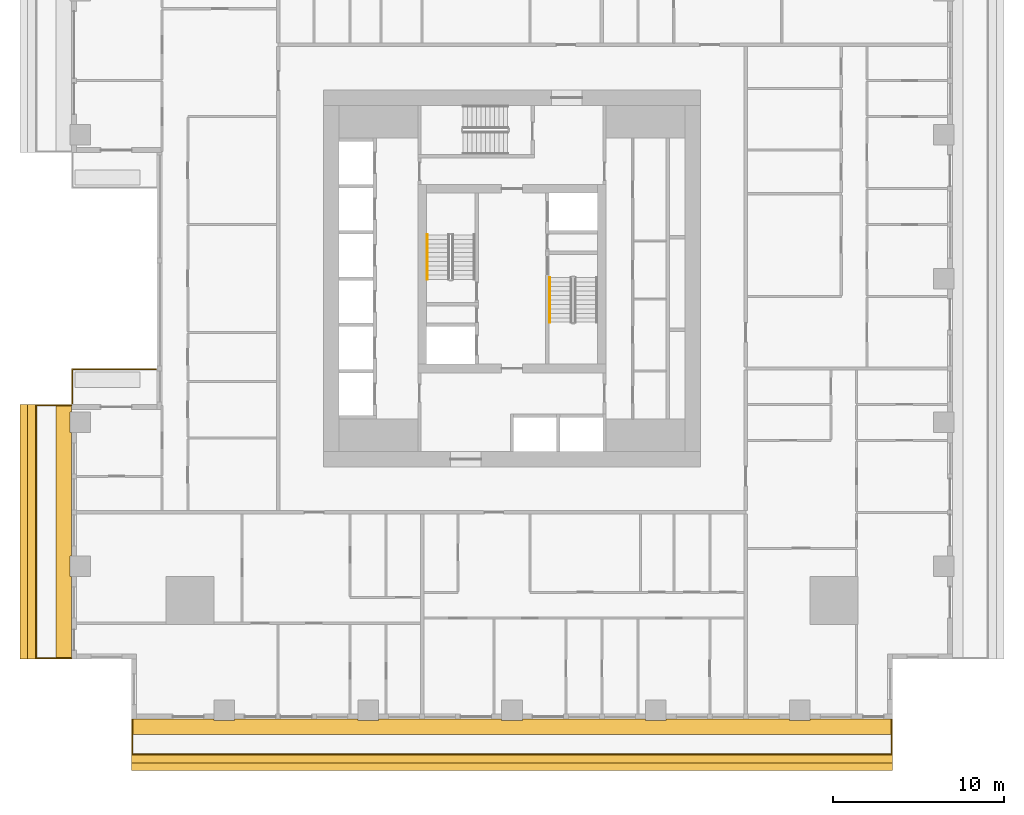
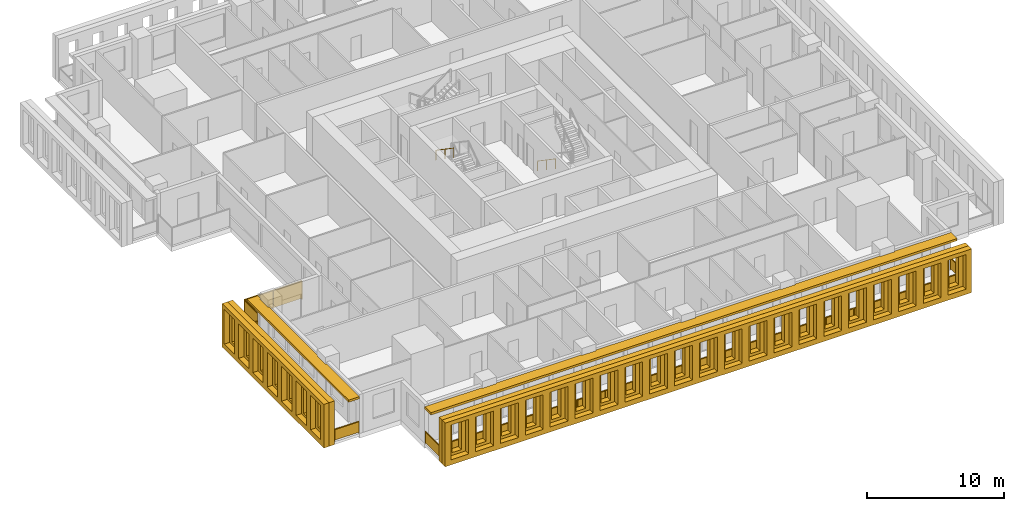
# One storey, part 11 of 15: 6 shading devices, 5 railings.
"""IFC4 building model written with IfcOpenShell, lengths in metres."""

from ifc_helpers import new_model, si_unit, direction, frame, origin, origin_2d, place, context, subcontext, project, spatial, polyline, rectangle, outline, extrude, material, layer, layer_set, type_object, element, save


model = new_model("IFC4")

# Units and contexts
model_context = context("Model", 3, precision=1e-05, world=origin(), true_north=direction((0.0, 1.0)))
body_context = subcontext(model_context, "Body", "Model", "MODEL_VIEW")
ifc_project = project(units=[si_unit("LENGTHUNIT", "METRE"), si_unit("AREAUNIT", "SQUARE_METRE"), si_unit("VOLUMEUNIT", "CUBIC_METRE"), si_unit("PLANEANGLEUNIT", "RADIAN"), si_unit("MASSUNIT", "GRAM", prefix="KILO")], contexts=[model_context])

# Site, building, storey
site_placement = place(None, origin())
site = spatial("IfcSite", under=ifc_project, at=site_placement, CompositionType="ELEMENT")
building_placement = place(site_placement, origin())
building = spatial("IfcBuilding", under=site, at=building_placement, Name="Khepri Terraces", CompositionType="ELEMENT")
storey_placement = place(building_placement, frame((0.0, 0.0, 94.800048828125)))
storey = spatial("IfcBuildingStorey", under=building, at=storey_placement, Name="L22", CompositionType="ELEMENT", Elevation=94.800048828125)

# Railings
ifc_material_1 = material(Name="Stainless steel grade 316", Category="steel")
railing_type_1 = type_object("IfcRailingType", Name="GRD-BAL-1100", PredefinedType="GUARDRAIL", material=ifc_material_1)
railing_1_placement = place(storey_placement, frame((-22.169921875, -25.719970703125, 0.0)))
element("IfcRailing", 1, at=railing_1_placement, inside=storey, type_object=railing_type_1, Name="Balcony guard L22 S", PredefinedType="GUARDRAIL", context=body_context, shape_type="SweptSolid", body=[
    extrude(rectangle(XDim=0.050048828125, YDim=0.06005859375, at=origin_2d()), frame((0.0, 0.0, 1.070068359375), z_axis=(0.0, -1.0, 0.0), x_axis=(1.0, 0.0, 0.0)), (0.0, 0.0, 1.0), 2.050048828125),
    extrude(rectangle(XDim=2.0, YDim=0.011962890625, at=origin_2d()), frame((0.0, -1.02490234375, 0.10009765625), z_axis=(0.0, 0.0, 1.0), x_axis=(0.0, -1.0, 0.0)), (0.0, 0.0, 1.0), 0.93994140625),
    extrude(rectangle(XDim=0.050048828125, YDim=0.06005859375, at=origin_2d()), frame((0.0, -2.050048828125, 1.070068359375), z_axis=(1.0, 0.0, 0.0), x_axis=(0.0, 1.0, 0.0)), (0.0, 0.0, 1.0), 44.33984375),
    extrude(rectangle(XDim=2.28369140625, YDim=0.011962890625, at=origin_2d()), frame((1.166748046875, -2.050048828125, 0.10009765625), z_axis=(0.0, 0.0, 1.0), x_axis=(1.0, 0.0, 0.0)), (0.0, 0.0, 1.0), 0.93994140625),
    extrude(rectangle(XDim=2.28369140625, YDim=0.011962890625, at=origin_2d()), frame((3.50048828125, -2.050048828125, 0.10009765625), z_axis=(0.0, 0.0, 1.0), x_axis=(1.0, 0.0, 0.0)), (0.0, 0.0, 1.0), 0.93994140625),
    extrude(rectangle(XDim=2.28369140625, YDim=0.011962890625, at=origin_2d()), frame((5.834228515625, -2.050048828125, 0.10009765625), z_axis=(0.0, 0.0, 1.0), x_axis=(1.0, 0.0, 0.0)), (0.0, 0.0, 1.0), 0.93994140625),
    extrude(rectangle(XDim=2.28369140625, YDim=0.011962890625, at=origin_2d()), frame((8.16796875, -2.050048828125, 0.10009765625), z_axis=(0.0, 0.0, 1.0), x_axis=(1.0, 0.0, 0.0)), (0.0, 0.0, 1.0), 0.93994140625),
    extrude(rectangle(XDim=2.28369140625, YDim=0.011962890625, at=origin_2d()), frame((10.50146484375, -2.050048828125, 0.10009765625), z_axis=(0.0, 0.0, 1.0), x_axis=(1.0, 0.0, 0.0)), (0.0, 0.0, 1.0), 0.93994140625),
    extrude(rectangle(XDim=2.28369140625, YDim=0.011962890625, at=origin_2d()), frame((12.835205078125, -2.050048828125, 0.10009765625), z_axis=(0.0, 0.0, 1.0), x_axis=(1.0, 0.0, 0.0)), (0.0, 0.0, 1.0), 0.93994140625),
    extrude(rectangle(XDim=2.28369140625, YDim=0.011962890625, at=origin_2d()), frame((15.1689453125, -2.050048828125, 0.10009765625), z_axis=(0.0, 0.0, 1.0), x_axis=(1.0, 0.0, 0.0)), (0.0, 0.0, 1.0), 0.93994140625),
    extrude(rectangle(XDim=2.28369140625, YDim=0.011962890625, at=origin_2d()), frame((17.502685546875, -2.050048828125, 0.10009765625), z_axis=(0.0, 0.0, 1.0), x_axis=(1.0, 0.0, 0.0)), (0.0, 0.0, 1.0), 0.93994140625),
    extrude(rectangle(XDim=2.28369140625, YDim=0.011962890625, at=origin_2d()), frame((19.836181640625, -2.050048828125, 0.10009765625), z_axis=(0.0, 0.0, 1.0), x_axis=(1.0, 0.0, 0.0)), (0.0, 0.0, 1.0), 0.93994140625),
    extrude(rectangle(XDim=2.28369140625, YDim=0.011962890625, at=origin_2d()), frame((22.169921875, -2.050048828125, 0.10009765625), z_axis=(0.0, 0.0, 1.0), x_axis=(1.0, 0.0, 0.0)), (0.0, 0.0, 1.0), 0.93994140625),
    extrude(rectangle(XDim=2.28369140625, YDim=0.011962890625, at=origin_2d()), frame((24.503662109375, -2.050048828125, 0.10009765625), z_axis=(0.0, 0.0, 1.0), x_axis=(1.0, 0.0, 0.0)), (0.0, 0.0, 1.0), 0.93994140625),
    extrude(rectangle(XDim=2.28369140625, YDim=0.011962890625, at=origin_2d()), frame((26.837158203125, -2.050048828125, 0.10009765625), z_axis=(0.0, 0.0, 1.0), x_axis=(1.0, 0.0, 0.0)), (0.0, 0.0, 1.0), 0.93994140625),
    extrude(rectangle(XDim=2.28369140625, YDim=0.011962890625, at=origin_2d()), frame((29.1708984375, -2.050048828125, 0.10009765625), z_axis=(0.0, 0.0, 1.0), x_axis=(1.0, 0.0, 0.0)), (0.0, 0.0, 1.0), 0.93994140625),
    extrude(rectangle(XDim=2.28369140625, YDim=0.011962890625, at=origin_2d()), frame((31.504638671875, -2.050048828125, 0.10009765625), z_axis=(0.0, 0.0, 1.0), x_axis=(1.0, 0.0, 0.0)), (0.0, 0.0, 1.0), 0.93994140625),
    extrude(rectangle(XDim=2.28369140625, YDim=0.011962890625, at=origin_2d()), frame((33.83837890625, -2.050048828125, 0.10009765625), z_axis=(0.0, 0.0, 1.0), x_axis=(1.0, 0.0, 0.0)), (0.0, 0.0, 1.0), 0.93994140625),
    extrude(rectangle(XDim=2.28369140625, YDim=0.011962890625, at=origin_2d()), frame((36.171875, -2.050048828125, 0.10009765625), z_axis=(0.0, 0.0, 1.0), x_axis=(1.0, 0.0, 0.0)), (0.0, 0.0, 1.0), 0.93994140625),
    extrude(rectangle(XDim=2.28369140625, YDim=0.011962890625, at=origin_2d()), frame((38.505615234375, -2.050048828125, 0.10009765625), z_axis=(0.0, 0.0, 1.0), x_axis=(1.0, 0.0, 0.0)), (0.0, 0.0, 1.0), 0.93994140625),
    extrude(rectangle(XDim=2.28369140625, YDim=0.011962890625, at=origin_2d()), frame((40.83935546875, -2.050048828125, 0.10009765625), z_axis=(0.0, 0.0, 1.0), x_axis=(1.0, 0.0, 0.0)), (0.0, 0.0, 1.0), 0.93994140625),
    extrude(rectangle(XDim=2.28369140625, YDim=0.011962890625, at=origin_2d()), frame((43.173095703125, -2.050048828125, 0.10009765625), z_axis=(0.0, 0.0, 1.0), x_axis=(1.0, 0.0, 0.0)), (0.0, 0.0, 1.0), 0.93994140625),
    extrude(rectangle(XDim=0.050048828125, YDim=0.06005859375, at=origin_2d()), frame((44.33984375, -2.050048828125, 1.070068359375), z_axis=(0.0, 1.0, 0.0), x_axis=(-1.0, 0.0, 0.0)), (0.0, 0.0, 1.0), 2.050048828125),
    extrude(rectangle(XDim=2.0, YDim=0.011962890625, at=origin_2d()), frame((44.33984375, -1.02490234375, 0.10009765625), z_axis=(0.0, 0.0, 1.0), x_axis=(0.0, 1.0, 0.0)), (0.0, 0.0, 1.0), 0.93994140625),
    extrude(rectangle(XDim=0.050048828125, YDim=0.050048828125, at=origin_2d()), origin(), (0.0, 0.0, 1.0), 1.0400390625),
    extrude(rectangle(XDim=0.050048828125, YDim=0.050048828125, at=origin_2d()), frame((0.0, -2.050048828125, 0.0)), (0.0, 0.0, 1.0), 1.0400390625),
    extrude(rectangle(XDim=0.050048828125, YDim=0.050048828125, at=origin_2d()), frame((2.333740234375, -2.050048828125, 0.0)), (0.0, 0.0, 1.0), 1.0400390625),
    extrude(rectangle(XDim=0.050048828125, YDim=0.050048828125, at=origin_2d()), frame((4.667236328125, -2.050048828125, 0.0)), (0.0, 0.0, 1.0), 1.0400390625),
    extrude(rectangle(XDim=0.050048828125, YDim=0.050048828125, at=origin_2d()), frame((7.0009765625, -2.050048828125, 0.0)), (0.0, 0.0, 1.0), 1.0400390625),
    extrude(rectangle(XDim=0.050048828125, YDim=0.050048828125, at=origin_2d()), frame((9.334716796875, -2.050048828125, 0.0)), (0.0, 0.0, 1.0), 1.0400390625),
    extrude(rectangle(XDim=0.050048828125, YDim=0.050048828125, at=origin_2d()), frame((11.66845703125, -2.050048828125, 0.0)), (0.0, 0.0, 1.0), 1.0400390625),
    extrude(rectangle(XDim=0.050048828125, YDim=0.050048828125, at=origin_2d()), frame((14.001953125, -2.050048828125, 0.0)), (0.0, 0.0, 1.0), 1.0400390625),
    extrude(rectangle(XDim=0.050048828125, YDim=0.050048828125, at=origin_2d()), frame((16.335693359375, -2.050048828125, 0.0)), (0.0, 0.0, 1.0), 1.0400390625),
    extrude(rectangle(XDim=0.050048828125, YDim=0.050048828125, at=origin_2d()), frame((18.66943359375, -2.050048828125, 0.0)), (0.0, 0.0, 1.0), 1.0400390625),
    extrude(rectangle(XDim=0.050048828125, YDim=0.050048828125, at=origin_2d()), frame((21.003173828125, -2.050048828125, 0.0)), (0.0, 0.0, 1.0), 1.0400390625),
    extrude(rectangle(XDim=0.050048828125, YDim=0.050048828125, at=origin_2d()), frame((23.336669921875, -2.050048828125, 0.0)), (0.0, 0.0, 1.0), 1.0400390625),
    extrude(rectangle(XDim=0.050048828125, YDim=0.050048828125, at=origin_2d()), frame((25.67041015625, -2.050048828125, 0.0)), (0.0, 0.0, 1.0), 1.0400390625),
    extrude(rectangle(XDim=0.050048828125, YDim=0.050048828125, at=origin_2d()), frame((28.004150390625, -2.050048828125, 0.0)), (0.0, 0.0, 1.0), 1.0400390625),
    extrude(rectangle(XDim=0.050048828125, YDim=0.050048828125, at=origin_2d()), frame((30.337890625, -2.050048828125, 0.0)), (0.0, 0.0, 1.0), 1.0400390625),
    extrude(rectangle(XDim=0.050048828125, YDim=0.050048828125, at=origin_2d()), frame((32.67138671875, -2.050048828125, 0.0)), (0.0, 0.0, 1.0), 1.0400390625),
    extrude(rectangle(XDim=0.050048828125, YDim=0.050048828125, at=origin_2d()), frame((35.005126953125, -2.050048828125, 0.0)), (0.0, 0.0, 1.0), 1.0400390625),
    extrude(rectangle(XDim=0.050048828125, YDim=0.050048828125, at=origin_2d()), frame((37.3388671875, -2.050048828125, 0.0)), (0.0, 0.0, 1.0), 1.0400390625),
    extrude(rectangle(XDim=0.050048828125, YDim=0.050048828125, at=origin_2d()), frame((39.672607421875, -2.050048828125, 0.0)), (0.0, 0.0, 1.0), 1.0400390625),
    extrude(rectangle(XDim=0.050048828125, YDim=0.050048828125, at=origin_2d()), frame((42.006103515625, -2.050048828125, 0.0)), (0.0, 0.0, 1.0), 1.0400390625),
    extrude(rectangle(XDim=0.050048828125, YDim=0.050048828125, at=origin_2d()), frame((44.33984375, -2.050048828125, 0.0)), (0.0, 0.0, 1.0), 1.0400390625),
    extrude(rectangle(XDim=0.050048828125, YDim=0.050048828125, at=origin_2d()), frame((44.33984375, 0.0, 0.0)), (0.0, 0.0, 1.0), 1.0400390625),
])
railing_2_placement = place(storey_placement, frame((-25.719970703125, -7.39990234375, 0.0)))
element("IfcRailing", 2, at=railing_2_placement, inside=storey, type_object=railing_type_1, Name="Balcony guard L22 W", PredefinedType="GUARDRAIL", context=body_context, shape_type="SweptSolid", body=[
    extrude(rectangle(XDim=0.050048828125, YDim=0.06005859375, at=origin_2d()), frame((0.0, 0.0, 1.070068359375), z_axis=(-1.0, 0.0, 0.0), x_axis=(0.0, -1.0, 0.0)), (0.0, 0.0, 1.0), 2.050048828125),
    extrude(rectangle(XDim=2.0, YDim=0.011962890625, at=origin_2d()), frame((-1.02490234375, 0.0, 0.10009765625), z_axis=(0.0, 0.0, 1.0), x_axis=(-1.0, 0.0, 0.0)), (0.0, 0.0, 1.0), 0.93994140625),
    extrude(rectangle(XDim=0.050048828125, YDim=0.06005859375, at=origin_2d()), frame((-2.050048828125, 0.0, 1.070068359375), z_axis=(0.0, -1.0, 0.0), x_axis=(1.0, 0.0, 0.0)), (0.0, 0.0, 1.0), 14.77001953125),
    extrude(rectangle(XDim=2.06005859375, YDim=0.011962890625, at=origin_2d()), frame((-2.050048828125, -1.054931640625, 0.10009765625), z_axis=(0.0, 0.0, 1.0), x_axis=(0.0, -1.0, 0.0)), (0.0, 0.0, 1.0), 0.93994140625),
    extrude(rectangle(XDim=2.06005859375, YDim=0.011962890625, at=origin_2d()), frame((-2.050048828125, -3.1650390625, 0.10009765625), z_axis=(0.0, 0.0, 1.0), x_axis=(0.0, -1.0, 0.0)), (0.0, 0.0, 1.0), 0.93994140625),
    extrude(rectangle(XDim=2.06005859375, YDim=0.011962890625, at=origin_2d()), frame((-2.050048828125, -5.27490234375, 0.10009765625), z_axis=(0.0, 0.0, 1.0), x_axis=(0.0, -1.0, 0.0)), (0.0, 0.0, 1.0), 0.93994140625),
    extrude(rectangle(XDim=2.06005859375, YDim=0.011962890625, at=origin_2d()), frame((-2.050048828125, -7.385009765625, 0.10009765625), z_axis=(0.0, 0.0, 1.0), x_axis=(0.0, -1.0, 0.0)), (0.0, 0.0, 1.0), 0.93994140625),
    extrude(rectangle(XDim=2.06005859375, YDim=0.011962890625, at=origin_2d()), frame((-2.050048828125, -9.4951171875, 0.10009765625), z_axis=(0.0, 0.0, 1.0), x_axis=(0.0, -1.0, 0.0)), (0.0, 0.0, 1.0), 0.93994140625),
    extrude(rectangle(XDim=2.06005859375, YDim=0.011962890625, at=origin_2d()), frame((-2.050048828125, -11.60498046875, 0.10009765625), z_axis=(0.0, 0.0, 1.0), x_axis=(0.0, -1.0, 0.0)), (0.0, 0.0, 1.0), 0.93994140625),
    extrude(rectangle(XDim=2.06005859375, YDim=0.011962890625, at=origin_2d()), frame((-2.050048828125, -13.715087890625, 0.10009765625), z_axis=(0.0, 0.0, 1.0), x_axis=(0.0, -1.0, 0.0)), (0.0, 0.0, 1.0), 0.93994140625),
    extrude(rectangle(XDim=0.050048828125, YDim=0.06005859375, at=origin_2d()), frame((-2.050048828125, -14.77001953125, 1.070068359375), z_axis=(1.0, 0.0, 0.0), x_axis=(0.0, 1.0, 0.0)), (0.0, 0.0, 1.0), 2.050048828125),
    extrude(rectangle(XDim=2.0, YDim=0.011962890625, at=origin_2d()), frame((-1.02490234375, -14.77001953125, 0.10009765625), z_axis=(0.0, 0.0, 1.0), x_axis=(1.0, 0.0, 0.0)), (0.0, 0.0, 1.0), 0.93994140625),
    extrude(rectangle(XDim=0.050048828125, YDim=0.050048828125, at=origin_2d()), origin(), (0.0, 0.0, 1.0), 1.0400390625),
    extrude(rectangle(XDim=0.050048828125, YDim=0.050048828125, at=origin_2d()), frame((-2.050048828125, 0.0, 0.0)), (0.0, 0.0, 1.0), 1.0400390625),
    extrude(rectangle(XDim=0.050048828125, YDim=0.050048828125, at=origin_2d()), frame((-2.050048828125, -2.110107421875, 0.0)), (0.0, 0.0, 1.0), 1.0400390625),
    extrude(rectangle(XDim=0.050048828125, YDim=0.050048828125, at=origin_2d()), frame((-2.050048828125, -4.219970703125, 0.0)), (0.0, 0.0, 1.0), 1.0400390625),
    extrude(rectangle(XDim=0.050048828125, YDim=0.050048828125, at=origin_2d()), frame((-2.050048828125, -6.330078125, 0.0)), (0.0, 0.0, 1.0), 1.0400390625),
    extrude(rectangle(XDim=0.050048828125, YDim=0.050048828125, at=origin_2d()), frame((-2.050048828125, -8.43994140625, 0.0)), (0.0, 0.0, 1.0), 1.0400390625),
    extrude(rectangle(XDim=0.050048828125, YDim=0.050048828125, at=origin_2d()), frame((-2.050048828125, -10.550048828125, 0.0)), (0.0, 0.0, 1.0), 1.0400390625),
    extrude(rectangle(XDim=0.050048828125, YDim=0.050048828125, at=origin_2d()), frame((-2.050048828125, -12.659912109375, 0.0)), (0.0, 0.0, 1.0), 1.0400390625),
    extrude(rectangle(XDim=0.050048828125, YDim=0.050048828125, at=origin_2d()), frame((-2.050048828125, -14.77001953125, 0.0)), (0.0, 0.0, 1.0), 1.0400390625),
    extrude(rectangle(XDim=0.050048828125, YDim=0.050048828125, at=origin_2d()), frame((0.0, -14.77001953125, 0.0)), (0.0, 0.0, 1.0), 1.0400390625),
])
railing_type_2 = type_object("IfcRailingType", Name="GRD-TERR-1700", PredefinedType="GUARDRAIL", material=ifc_material_1)
railing_3_placement = place(storey_placement, frame((-25.669921875, -7.280029296875, 0.0)))
element("IfcRailing", 3, at=railing_3_placement, inside=storey, type_object=railing_type_2, Name="Terrace guard L22", PredefinedType="GUARDRAIL", context=body_context, shape_type="SweptSolid", body=[
    extrude(rectangle(XDim=0.050048828125, YDim=0.06005859375, at=origin_2d()), frame((0.0, 0.0, 1.669921875), z_axis=(0.0, 1.0, 0.0), x_axis=(-1.0, 0.0, 0.0)), (0.0, 0.0, 1.0), 1.97998046875),
    extrude(rectangle(XDim=1.929931640625, YDim=0.011962890625, at=origin_2d()), frame((0.0, 0.989990234375, 0.10009765625), z_axis=(0.0, 0.0, 1.0), x_axis=(0.0, 1.0, 0.0)), (0.0, 0.0, 1.0), 1.539794921875),
    extrude(rectangle(XDim=0.050048828125, YDim=0.06005859375, at=origin_2d()), frame((0.0, 1.97998046875, 1.669921875), z_axis=(1.0, 0.0, 0.0), x_axis=(0.0, 1.0, 0.0)), (0.0, 0.0, 1.0), 4.8798828125),
    extrude(rectangle(XDim=2.389892578125, YDim=0.011962890625, at=origin_2d()), frame((1.219970703125, 1.97998046875, 0.10009765625), z_axis=(0.0, 0.0, 1.0), x_axis=(1.0, 0.0, 0.0)), (0.0, 0.0, 1.0), 1.539794921875),
    extrude(rectangle(XDim=2.389892578125, YDim=0.011962890625, at=origin_2d()), frame((3.659912109375, 1.97998046875, 0.10009765625), z_axis=(0.0, 0.0, 1.0), x_axis=(1.0, 0.0, 0.0)), (0.0, 0.0, 1.0), 1.539794921875),
    extrude(rectangle(XDim=0.050048828125, YDim=0.050048828125, at=origin_2d()), origin(), (0.0, 0.0, 1.0), 1.639892578125),
    extrude(rectangle(XDim=0.050048828125, YDim=0.050048828125, at=origin_2d()), frame((0.0, 1.97998046875, 0.0)), (0.0, 0.0, 1.0), 1.639892578125),
    extrude(rectangle(XDim=0.050048828125, YDim=0.050048828125, at=origin_2d()), frame((2.43994140625, 1.97998046875, 0.0)), (0.0, 0.0, 1.0), 1.639892578125),
    extrude(rectangle(XDim=0.050048828125, YDim=0.050048828125, at=origin_2d()), frame((4.8798828125, 1.97998046875, 0.0)), (0.0, 0.0, 1.0), 1.639892578125),
])
ifc_material_2 = material(Name="Stainless steel 316", Category="steel")
railing_type_3 = type_object("IfcRailingType", Name="RL-CORE-HANDRAIL", PredefinedType="HANDRAIL", material=ifc_material_2)
for number, where, name in (
    (4, (-4.949951171875, 2.550048828125, 2.127197265625), "L22 ST-1 stair handrail 2"),
    (5, (2.199951171875, 0.050048828125, 0.17724609375), "L22 ST-2 stair handrail 1"),
):
    element("IfcRailing", number, at=place(storey_placement, frame(where)), inside=storey, type_object=railing_type_3, Name=name, PredefinedType="HANDRAIL", context=body_context, shape_type="SweptSolid", body=[
        extrude(rectangle(XDim=0.050048828125, YDim=0.050048828125, at=origin_2d()), frame((0.0, 0.0, 0.875), z_axis=(0.0, -0.826240473404, 0.563317565952), x_axis=(1.0, 0.0, 0.0)), (0.0, 0.0, 1.0), 3.14697265625),
        extrude(rectangle(XDim=0.050048828125, YDim=0.050048828125, at=origin_2d()), origin(), (0.0, 0.0, 1.0), 0.849853515625),
        extrude(rectangle(XDim=0.050048828125, YDim=0.050048828125, at=origin_2d()), frame((0.0, -1.300048828125, 0.88623046875)), (0.0, 0.0, 1.0), 0.849853515625),
        extrude(rectangle(XDim=0.050048828125, YDim=0.050048828125, at=origin_2d()), frame((0.0, -2.60009765625, 1.772705078125)), (0.0, 0.0, 1.0), 0.849853515625),
    ])

# Shading devices
ifc_material_3 = material(Name="Precast concrete C50/60 warm stone", Category="masonry")
shading_device_type_1 = type_object("IfcShadingDeviceType", Name="SCR-CELL-INNER-450", PredefinedType="USERDEFINED", material=ifc_material_3)
shading_device_1_placement = place(storey_placement, frame((-22.219970703125, -27.820068359375, -0.25), z_axis=(0.0, -1.0, 0.0), x_axis=(1.0, 0.0, 0.0)))
element("IfcShadingDevice", 6, at=shading_device_1_placement, inside=storey, type_object=shading_device_type_1, Name="Cell screen L22 S in", ObjectType="SCREEN", PredefinedType="USERDEFINED", context=body_context, shape_type="SweptSolid", body=[
    extrude(outline(polyline([(0.0, 0.0), (44.43994140625, 0.0), (44.43994140625, 3.89990234375), (0.0, 3.89990234375), (0.0, 0.0)]), holes=[polyline([(0.818359375, 0.699951171875), (1.62158203125, 0.699951171875), (1.62158203125, 3.300048828125), (0.818359375, 3.300048828125), (0.818359375, 0.699951171875)]), polyline([(2.91845703125, 0.699951171875), (3.7216796875, 0.699951171875), (3.7216796875, 3.300048828125), (2.91845703125, 3.300048828125), (2.91845703125, 0.699951171875)]), polyline([(5.018310546875, 0.699951171875), (5.821533203125, 0.699951171875), (5.821533203125, 3.300048828125), (5.018310546875, 3.300048828125), (5.018310546875, 0.699951171875)]), polyline([(7.118408203125, 0.699951171875), (7.921630859375, 0.699951171875), (7.921630859375, 3.300048828125), (7.118408203125, 3.300048828125), (7.118408203125, 0.699951171875)]), polyline([(9.218505859375, 0.699951171875), (10.021484375, 0.699951171875), (10.021484375, 3.300048828125), (9.218505859375, 3.300048828125), (9.218505859375, 0.699951171875)]), polyline([(11.318359375, 0.699951171875), (12.12158203125, 0.699951171875), (12.12158203125, 3.300048828125), (11.318359375, 3.300048828125), (11.318359375, 0.699951171875)]), polyline([(13.41845703125, 0.699951171875), (14.2216796875, 0.699951171875), (14.2216796875, 3.300048828125), (13.41845703125, 3.300048828125), (13.41845703125, 0.699951171875)]), polyline([(15.518310546875, 0.699951171875), (16.321533203125, 0.699951171875), (16.321533203125, 3.300048828125), (15.518310546875, 3.300048828125), (15.518310546875, 0.699951171875)]), polyline([(17.618408203125, 0.699951171875), (18.421630859375, 0.699951171875), (18.421630859375, 3.300048828125), (17.618408203125, 3.300048828125), (17.618408203125, 0.699951171875)]), polyline([(19.718505859375, 0.699951171875), (20.521484375, 0.699951171875), (20.521484375, 3.300048828125), (19.718505859375, 3.300048828125), (19.718505859375, 0.699951171875)]), polyline([(21.818359375, 0.699951171875), (22.62158203125, 0.699951171875), (22.62158203125, 3.300048828125), (21.818359375, 3.300048828125), (21.818359375, 0.699951171875)]), polyline([(23.91845703125, 0.699951171875), (24.7216796875, 0.699951171875), (24.7216796875, 3.300048828125), (23.91845703125, 3.300048828125), (23.91845703125, 0.699951171875)]), polyline([(26.018310546875, 0.699951171875), (26.821533203125, 0.699951171875), (26.821533203125, 3.300048828125), (26.018310546875, 3.300048828125), (26.018310546875, 0.699951171875)]), polyline([(28.118408203125, 0.699951171875), (28.921630859375, 0.699951171875), (28.921630859375, 3.300048828125), (28.118408203125, 3.300048828125), (28.118408203125, 0.699951171875)]), polyline([(30.218505859375, 0.699951171875), (31.021484375, 0.699951171875), (31.021484375, 3.300048828125), (30.218505859375, 3.300048828125), (30.218505859375, 0.699951171875)]), polyline([(32.318359375, 0.699951171875), (33.12158203125, 0.699951171875), (33.12158203125, 3.300048828125), (32.318359375, 3.300048828125), (32.318359375, 0.699951171875)]), polyline([(34.41845703125, 0.699951171875), (35.2216796875, 0.699951171875), (35.2216796875, 3.300048828125), (34.41845703125, 3.300048828125), (34.41845703125, 0.699951171875)]), polyline([(36.518310546875, 0.699951171875), (37.321533203125, 0.699951171875), (37.321533203125, 3.300048828125), (36.518310546875, 3.300048828125), (36.518310546875, 0.699951171875)]), polyline([(38.618408203125, 0.699951171875), (39.421630859375, 0.699951171875), (39.421630859375, 3.300048828125), (38.618408203125, 3.300048828125), (38.618408203125, 0.699951171875)]), polyline([(40.718505859375, 0.699951171875), (41.521484375, 0.699951171875), (41.521484375, 3.300048828125), (40.718505859375, 3.300048828125), (40.718505859375, 0.699951171875)]), polyline([(42.818359375, 0.699951171875), (43.62158203125, 0.699951171875), (43.62158203125, 3.300048828125), (42.818359375, 3.300048828125), (42.818359375, 0.699951171875)])]), origin(), (0.0, 0.0, 1.0), 0.449951171875),
])
shading_device_2_placement = place(storey_placement, frame((-27.820068359375, -7.35009765625, -0.25), z_axis=(-1.0, 0.0, 0.0), x_axis=(0.0, -1.0, 0.0)))
element("IfcShadingDevice", 7, at=shading_device_2_placement, inside=storey, type_object=shading_device_type_1, Name="Cell screen L22 W in", ObjectType="SCREEN", PredefinedType="USERDEFINED", context=body_context, shape_type="SweptSolid", body=[
    extrude(outline(polyline([(0.0, 0.0), (14.8701171875, 0.0), (14.8701171875, 3.89990234375), (0.0, 3.89990234375), (0.0, 0.0)]), holes=[polyline([(0.6484375, 0.699951171875), (1.45166015625, 0.699951171875), (1.45166015625, 3.300048828125), (0.6484375, 3.300048828125), (0.6484375, 0.699951171875)]), polyline([(2.748291015625, 0.699951171875), (3.551513671875, 0.699951171875), (3.551513671875, 3.300048828125), (2.748291015625, 3.300048828125), (2.748291015625, 0.699951171875)]), polyline([(4.848388671875, 0.699951171875), (5.651611328125, 0.699951171875), (5.651611328125, 3.300048828125), (4.848388671875, 3.300048828125), (4.848388671875, 0.699951171875)]), polyline([(6.948486328125, 0.699951171875), (7.751708984375, 0.699951171875), (7.751708984375, 3.300048828125), (6.948486328125, 3.300048828125), (6.948486328125, 0.699951171875)]), polyline([(9.04833984375, 0.699951171875), (9.8515625, 0.699951171875), (9.8515625, 3.300048828125), (9.04833984375, 3.300048828125), (9.04833984375, 0.699951171875)]), polyline([(11.1484375, 0.699951171875), (11.95166015625, 0.699951171875), (11.95166015625, 3.300048828125), (11.1484375, 3.300048828125), (11.1484375, 0.699951171875)]), polyline([(13.248291015625, 0.699951171875), (14.051513671875, 0.699951171875), (14.051513671875, 3.300048828125), (13.248291015625, 3.300048828125), (13.248291015625, 0.699951171875)])]), origin(), (0.0, 0.0, 1.0), 0.449951171875),
])
shading_device_type_2 = type_object("IfcShadingDeviceType", Name="SCR-CELL-OUTER-450", PredefinedType="USERDEFINED", material=ifc_material_3)
shading_device_3_placement = place(storey_placement, frame((-22.219970703125, -28.27001953125, -0.25), z_axis=(0.0, -1.0, 0.0), x_axis=(1.0, 0.0, 0.0)))
element("IfcShadingDevice", 8, at=shading_device_3_placement, inside=storey, type_object=shading_device_type_2, Name="Cell screen L22 S out", ObjectType="SCREEN", PredefinedType="USERDEFINED", context=body_context, shape_type="SweptSolid", body=[
    extrude(outline(polyline([(0.0, 0.0), (44.43994140625, 0.0), (44.43994140625, 3.89990234375), (0.0, 3.89990234375), (0.0, 0.0)]), holes=[polyline([(0.468505859375, 0.449951171875), (1.9716796875, 0.449951171875), (1.9716796875, 3.550048828125), (0.468505859375, 3.550048828125), (0.468505859375, 0.449951171875)]), polyline([(2.568359375, 0.449951171875), (4.071533203125, 0.449951171875), (4.071533203125, 3.550048828125), (2.568359375, 3.550048828125), (2.568359375, 0.449951171875)]), polyline([(4.66845703125, 0.449951171875), (6.171630859375, 0.449951171875), (6.171630859375, 3.550048828125), (4.66845703125, 3.550048828125), (4.66845703125, 0.449951171875)]), polyline([(6.768310546875, 0.449951171875), (8.271484375, 0.449951171875), (8.271484375, 3.550048828125), (6.768310546875, 3.550048828125), (6.768310546875, 0.449951171875)]), polyline([(8.868408203125, 0.449951171875), (10.37158203125, 0.449951171875), (10.37158203125, 3.550048828125), (8.868408203125, 3.550048828125), (8.868408203125, 0.449951171875)]), polyline([(10.968505859375, 0.449951171875), (12.4716796875, 0.449951171875), (12.4716796875, 3.550048828125), (10.968505859375, 3.550048828125), (10.968505859375, 0.449951171875)]), polyline([(13.068359375, 0.449951171875), (14.571533203125, 0.449951171875), (14.571533203125, 3.550048828125), (13.068359375, 3.550048828125), (13.068359375, 0.449951171875)]), polyline([(15.16845703125, 0.449951171875), (16.671630859375, 0.449951171875), (16.671630859375, 3.550048828125), (15.16845703125, 3.550048828125), (15.16845703125, 0.449951171875)]), polyline([(17.268310546875, 0.449951171875), (18.771484375, 0.449951171875), (18.771484375, 3.550048828125), (17.268310546875, 3.550048828125), (17.268310546875, 0.449951171875)]), polyline([(19.368408203125, 0.449951171875), (20.87158203125, 0.449951171875), (20.87158203125, 3.550048828125), (19.368408203125, 3.550048828125), (19.368408203125, 0.449951171875)]), polyline([(21.468505859375, 0.449951171875), (22.9716796875, 0.449951171875), (22.9716796875, 3.550048828125), (21.468505859375, 3.550048828125), (21.468505859375, 0.449951171875)]), polyline([(23.568359375, 0.449951171875), (25.071533203125, 0.449951171875), (25.071533203125, 3.550048828125), (23.568359375, 3.550048828125), (23.568359375, 0.449951171875)]), polyline([(25.66845703125, 0.449951171875), (27.171630859375, 0.449951171875), (27.171630859375, 3.550048828125), (25.66845703125, 3.550048828125), (25.66845703125, 0.449951171875)]), polyline([(27.768310546875, 0.449951171875), (29.271484375, 0.449951171875), (29.271484375, 3.550048828125), (27.768310546875, 3.550048828125), (27.768310546875, 0.449951171875)]), polyline([(29.868408203125, 0.449951171875), (31.37158203125, 0.449951171875), (31.37158203125, 3.550048828125), (29.868408203125, 3.550048828125), (29.868408203125, 0.449951171875)]), polyline([(31.968505859375, 0.449951171875), (33.4716796875, 0.449951171875), (33.4716796875, 3.550048828125), (31.968505859375, 3.550048828125), (31.968505859375, 0.449951171875)]), polyline([(34.068359375, 0.449951171875), (35.571533203125, 0.449951171875), (35.571533203125, 3.550048828125), (34.068359375, 3.550048828125), (34.068359375, 0.449951171875)]), polyline([(36.16845703125, 0.449951171875), (37.671630859375, 0.449951171875), (37.671630859375, 3.550048828125), (36.16845703125, 3.550048828125), (36.16845703125, 0.449951171875)]), polyline([(38.268310546875, 0.449951171875), (39.771484375, 0.449951171875), (39.771484375, 3.550048828125), (38.268310546875, 3.550048828125), (38.268310546875, 0.449951171875)]), polyline([(40.368408203125, 0.449951171875), (41.87158203125, 0.449951171875), (41.87158203125, 3.550048828125), (40.368408203125, 3.550048828125), (40.368408203125, 0.449951171875)]), polyline([(42.468505859375, 0.449951171875), (43.9716796875, 0.449951171875), (43.9716796875, 3.550048828125), (42.468505859375, 3.550048828125), (42.468505859375, 0.449951171875)])]), origin(), (0.0, 0.0, 1.0), 0.449951171875),
])
shading_device_4_placement = place(storey_placement, frame((-28.27001953125, -7.35009765625, -0.25), z_axis=(-1.0, 0.0, 0.0), x_axis=(0.0, -1.0, 0.0)))
element("IfcShadingDevice", 9, at=shading_device_4_placement, inside=storey, type_object=shading_device_type_2, Name="Cell screen L22 W out", ObjectType="SCREEN", PredefinedType="USERDEFINED", context=body_context, shape_type="SweptSolid", body=[
    extrude(outline(polyline([(0.0, 0.0), (14.8701171875, 0.0), (14.8701171875, 3.89990234375), (0.0, 3.89990234375), (0.0, 0.0)]), holes=[polyline([(0.29833984375, 0.449951171875), (1.801513671875, 0.449951171875), (1.801513671875, 3.550048828125), (0.29833984375, 3.550048828125), (0.29833984375, 0.449951171875)]), polyline([(2.3984375, 0.449951171875), (3.901611328125, 0.449951171875), (3.901611328125, 3.550048828125), (2.3984375, 3.550048828125), (2.3984375, 0.449951171875)]), polyline([(4.498291015625, 0.449951171875), (6.001708984375, 0.449951171875), (6.001708984375, 3.550048828125), (4.498291015625, 3.550048828125), (4.498291015625, 0.449951171875)]), polyline([(6.598388671875, 0.449951171875), (8.1015625, 0.449951171875), (8.1015625, 3.550048828125), (6.598388671875, 3.550048828125), (6.598388671875, 0.449951171875)]), polyline([(8.698486328125, 0.449951171875), (10.20166015625, 0.449951171875), (10.20166015625, 3.550048828125), (8.698486328125, 3.550048828125), (8.698486328125, 0.449951171875)]), polyline([(10.79833984375, 0.449951171875), (12.301513671875, 0.449951171875), (12.301513671875, 3.550048828125), (10.79833984375, 3.550048828125), (10.79833984375, 0.449951171875)]), polyline([(12.8984375, 0.449951171875), (14.401611328125, 0.449951171875), (14.401611328125, 3.550048828125), (12.8984375, 3.550048828125), (12.8984375, 0.449951171875)])]), origin(), (0.0, 0.0, 1.0), 0.449951171875),
])
ifc_layer = layer(ifc_material_3, 0.199951171875, Name="Precast concrete C50/60 warm stone", Category="masonry")
ifc_layer_set = layer_set([ifc_layer], Name="Precast concrete C50/60 warm stone")
shading_device_type_3 = type_object("IfcShadingDeviceType", Name="SSH-BAND-STONE-200", PredefinedType="USERDEFINED", material=ifc_layer_set)
shading_device_5_placement = place(storey_placement, frame((0.0, 0.0, 3.099853515625)))
element("IfcShadingDevice", 10, at=shading_device_5_placement, inside=storey, type_object=shading_device_type_3, Name="Sunshade band L22 S", ObjectType="SUNSHADE", PredefinedType="USERDEFINED", context=body_context, shape_type="SweptSolid", body=[
    extrude(outline(polyline([(-17.39990234375, -25.719970703125), (-22.219970703125, -25.719970703125), (-22.219970703125, -26.6201171875), (22.219970703125, -26.6201171875), (22.219970703125, -25.719970703125), (17.39990234375, -25.719970703125), (17.39990234375, -25.800048828125), (16.199951171875, -25.800048828125), (16.199951171875, -25.719970703125), (9.0, -25.719970703125), (9.0, -25.800048828125), (7.800048828125, -25.800048828125), (7.800048828125, -25.719970703125), (0.60009765625, -25.719970703125), (0.60009765625, -25.800048828125), (-0.60009765625, -25.800048828125), (-0.60009765625, -25.719970703125), (-7.800048828125, -25.719970703125), (-7.800048828125, -25.800048828125), (-9.0, -25.800048828125), (-9.0, -25.719970703125), (-16.199951171875, -25.719970703125), (-16.199951171875, -25.800048828125), (-17.39990234375, -25.800048828125), (-17.39990234375, -25.719970703125)])), origin(), (0.0, 0.0, 1.0), 0.2001953125),
])
shading_device_6_placement = place(storey_placement, frame((0.0, 0.0, 3.099853515625)))
element("IfcShadingDevice", 11, at=shading_device_6_placement, inside=storey, type_object=shading_device_type_3, Name="Sunshade band L22 W", ObjectType="SUNSHADE", PredefinedType="USERDEFINED", context=body_context, shape_type="SweptSolid", body=[
    extrude(outline(polyline([(-25.719970703125, -7.800048828125), (-25.719970703125, -7.35009765625), (-26.6201171875, -7.35009765625), (-26.6201171875, -22.219970703125), (-25.719970703125, -22.219970703125), (-25.719970703125, -17.39990234375), (-25.800048828125, -17.39990234375), (-25.800048828125, -16.199951171875), (-25.719970703125, -16.199951171875), (-25.719970703125, -9.0), (-25.800048828125, -9.0), (-25.800048828125, -7.800048828125), (-25.719970703125, -7.800048828125)])), origin(), (0.0, 0.0, 1.0), 0.2001953125),
])

save(model, "model.ifc")
